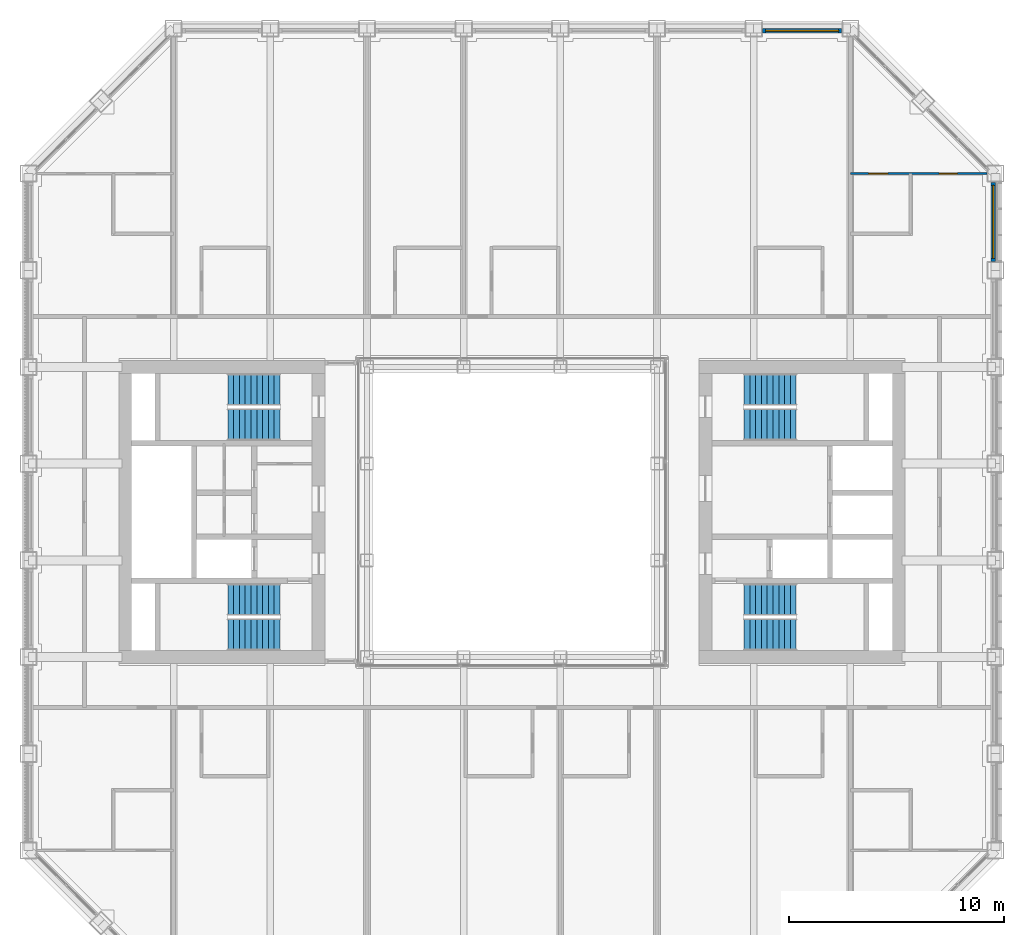
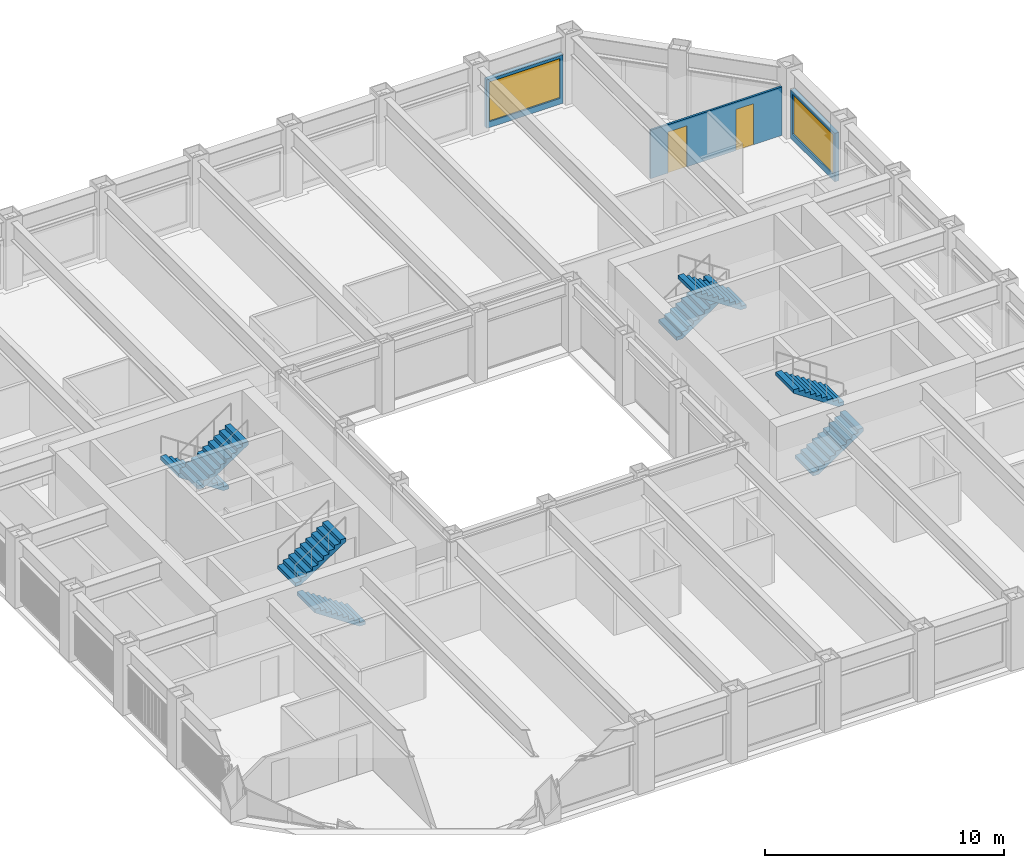
# One storey, part 14 of 17: 8 stair flights, 3 walls, 2 doors, 2 windows, 4 openings, 4 elements without a shape of their own.
"""IFC4 building model written with IfcOpenShell, lengths in metres."""

import ifcopenshell
import ifcopenshell.guid

model = None  # the IFC model being written
_history = None  # IfcOwnerHistory: only IFC2X3 demands one
_inside = {}  # id of a spatial element -> (the spatial element, [elements in it])
_under = {}  # id of a project, library or spatial element -> (it, [spatial elements below it])
_declared = {}  # id of a project -> (the project, [libraries it declares])
_typed = {}  # id of a type object -> (the type object, [elements of that type])
_made_of = {}  # id of a material, layer set ... -> (it, [elements and type objects made of it])


def new_model(schema):
    """Start an empty IFC model of exactly this schema.

    Asked for "IFC4X3", IfcOpenShell would pick the latest addendum, in which some entities
    have other attributes; the version numbers below select the first issue.
    IFC2X3 requires an IfcOwnerHistory on every rooted entity: one is made here for all.
    """
    global model, _history
    if schema == "IFC4X3":
        model = ifcopenshell.file(schema_version=(4, 3, 0, 0))
    else:
        model = ifcopenshell.file(schema=schema)
    _inside.clear()
    _under.clear()
    _declared.clear()
    _typed.clear()
    _made_of.clear()
    _history = None
    if model.schema == "IFC2X3":
        org = make("IfcOrganization", Name="unknown")
        user = make(
            "IfcPersonAndOrganization",
            ThePerson=make("IfcPerson", FamilyName="unknown"),
            TheOrganization=org,
        )
        app = make(
            "IfcApplication",
            ApplicationDeveloper=org,
            Version="unknown",
            ApplicationFullName="unknown",
            ApplicationIdentifier="unknown",
        )
        _history = make(
            "IfcOwnerHistory",
            OwningUser=user,
            OwningApplication=app,
            ChangeAction="ADDED",
            CreationDate=0,
        )
    return model


def make(cls, **values):
    """One entity of the class cls with the attributes given. An attribute that is None is left unset."""
    return model.create_entity(
        cls, **{name: value for name, value in values.items() if value is not None}
    )


def rooted(cls, **values):
    """An entity with a GlobalId (a new one), such as an element, a storey or a relation."""
    return make(cls, GlobalId=ifcopenshell.guid.new(), OwnerHistory=_history, **values)


def si_unit(unit_type, name, prefix=None):
    """IfcSIUnit, for example si_unit("LENGTHUNIT", "METRE", prefix="MILLI")."""
    return make("IfcSIUnit", UnitType=unit_type, Prefix=prefix, Name=name)


def assignment(units):
    """IfcUnitAssignment: the units of a project."""
    return None if units is None else make("IfcUnitAssignment", Units=units)


def point(xyz):
    """IfcCartesianPoint."""
    return None if xyz is None else make("IfcCartesianPoint", Coordinates=xyz)


def direction(xyz):
    """IfcDirection."""
    return None if xyz is None else make("IfcDirection", DirectionRatios=xyz)


def frame(location, z_axis=None, x_axis=None):
    """IfcAxis2Placement3D, a coordinate frame: its origin and axes. An axis left out is left unset."""
    return make(
        "IfcAxis2Placement3D",
        Location=point(location),
        Axis=direction(z_axis),
        RefDirection=direction(x_axis),
    )


def frame_2d(location, x_axis=None):
    """IfcAxis2Placement2D, a coordinate frame in the plane: its origin and x axis."""
    return make(
        "IfcAxis2Placement2D", Location=point(location), RefDirection=direction(x_axis)
    )


def origin():
    """The frame at (0, 0, 0) with its axes left unset."""
    return frame((0.0, 0.0, 0.0))


def place(relative_to, where):
    """IfcLocalPlacement: puts the frame where relative to a parent placement (None: the world)."""
    return make(
        "IfcLocalPlacement", PlacementRelTo=relative_to, RelativePlacement=where
    )


def context(
    kind, dimensions, precision=None, world=None, true_north=None, identifier=None
):
    """IfcGeometricRepresentationContext, for example the 3D "Model" context."""
    return make(
        "IfcGeometricRepresentationContext",
        ContextIdentifier=identifier,
        ContextType=kind,
        CoordinateSpaceDimension=dimensions,
        Precision=precision,
        WorldCoordinateSystem=world,
        TrueNorth=true_north,
    )


def subcontext(parent, identifier, kind, view, scale=None):
    """IfcGeometricRepresentationSubContext, for example "Body" below "Model"."""
    return make(
        "IfcGeometricRepresentationSubContext",
        ContextIdentifier=identifier,
        ContextType=kind,
        ParentContext=parent,
        TargetScale=scale,
        TargetView=view,
    )


def project(units=None, contexts=None):
    """IfcProject with its units and contexts."""
    return rooted(
        "IfcProject",
        Name="project",
        RepresentationContexts=contexts,
        UnitsInContext=assignment(units),
    )


def spatial(cls, under=None, at=None, **own):
    """A site, building, storey or space (cls), placed at a placement, below another one or the project."""
    s = rooted(cls, ObjectPlacement=at, **own)
    if under is not None:
        _under.setdefault(under.id(), (under, []))[1].append(s)
    return s


def polyline(points):
    """IfcPolyline through the points."""
    return make("IfcPolyline", Points=[point(p) for p in points])


def profile(cls, at=None, kind="AREA", **sizes):
    """A parametric profile (cls). Its sizes go by their IFC names, for example OverallWidth=200.0."""
    return make(cls, ProfileType=kind, Position=at, **sizes)


def rectangle(**sizes):
    """IfcRectangleProfileDef."""
    return profile("IfcRectangleProfileDef", **sizes)


def outline(outer, holes=None, kind="AREA"):
    """IfcArbitraryClosedProfileDef: a profile drawn as a closed curve; with holes, ...WithVoids."""
    if holes is None:
        return make("IfcArbitraryClosedProfileDef", ProfileType=kind, OuterCurve=outer)
    return make(
        "IfcArbitraryProfileDefWithVoids",
        ProfileType=kind,
        OuterCurve=outer,
        InnerCurves=holes,
    )


def extrude(swept, where, along, depth):
    """IfcExtrudedAreaSolid: the profile swept, set in the frame where, extruded along a direction by depth."""
    return make(
        "IfcExtrudedAreaSolid",
        SweptArea=swept,
        Position=where,
        ExtrudedDirection=direction(along),
        Depth=depth,
    )


def shape(context_of_items, identifier, shape_type, items):
    """IfcShapeRepresentation: the items that make up one representation, for example the "Body"."""
    return make(
        "IfcShapeRepresentation",
        ContextOfItems=context_of_items,
        RepresentationIdentifier=identifier,
        RepresentationType=shape_type,
        Items=items,
    )


def material(Name=None, Category=None):
    """IfcMaterial."""
    return make("IfcMaterial", Name=Name, Category=Category)


def layer(
    of_material, thickness, ventilated=None, Name=None, Category=None, Priority=None
):
    """IfcMaterialLayer: one layer of a wall or slab, of a material (None: an air gap)."""
    return make(
        "IfcMaterialLayer",
        Material=of_material,
        LayerThickness=thickness,
        IsVentilated=ventilated,
        Name=Name,
        Category=Category,
        Priority=Priority,
    )


def layer_set(layers, Name=None):
    """IfcMaterialLayerSet."""
    return make("IfcMaterialLayerSet", MaterialLayers=layers, LayerSetName=Name)


def made_of(thing, what):
    """Note that an element or type object is made of a material, layer set ...; save() writes the relation."""
    if what is not None:
        _made_of.setdefault(what.id(), (what, []))[1].append(thing)
    return thing


def type_object(cls, material=None, **own):
    """A type object (cls), such as IfcWallType, which elements share."""
    return made_of(rooted(cls, **own), material)


def element(
    cls,
    number,
    at=None,
    inside=None,
    cuts=None,
    type_object=None,
    material=None,
    context=None,
    identifier="Body",
    shape_type=None,
    held_by="IfcProductDefinitionShape",
    body=None,
    shapes=None,
    **own,
):
    """One element of the class cls, such as IfcWall. Its Tag is "e" and its number.

    at: its placement. inside: the storey or other place that contains it. cuts: it is an
    opening in that element (IfcRelVoidsElement). A single representation is given by context,
    identifier, shape_type and body (its items); several are given by shapes. held_by: the class
    of the entity that holds the representations. save() writes the other relations.
    """
    e = rooted(cls, Tag="e%d" % number, ObjectPlacement=at, **own)
    if body is not None:
        shapes = [shape(context, identifier, shape_type, body)]
    if shapes is not None:
        e.Representation = make(held_by, Representations=shapes)
    if inside is not None:
        _inside.setdefault(inside.id(), (inside, []))[1].append(e)
    if cuts is not None:
        rooted(
            "IfcRelVoidsElement", RelatingBuildingElement=cuts, RelatedOpeningElement=e
        )
    if type_object is not None:
        _typed.setdefault(type_object.id(), (type_object, []))[1].append(e)
    return made_of(e, material)


def fill(opening, filler):
    """IfcRelFillsElement: the door or window that sits in an opening."""
    return rooted(
        "IfcRelFillsElement",
        RelatingOpeningElement=opening,
        RelatedBuildingElement=filler,
    )


def aggregate(whole, parts):
    """IfcRelAggregates: a whole, such as a stair, and the parts it consists of."""
    return rooted("IfcRelAggregates", RelatingObject=whole, RelatedObjects=parts)


def save(model, path):
    """Write the relations noted so far, then the file.

    IfcRelAggregates (storeys below a building ...), IfcRelContainedInSpatialStructure (elements
    in a storey), IfcRelDefinesByType, IfcRelAssociatesMaterial and IfcRelDeclares: one each for
    every whole, place, type object, material and project.
    """
    for whole, parts in _under.values():
        aggregate(whole, parts)
    for where, things in _inside.values():
        rooted(
            "IfcRelContainedInSpatialStructure",
            RelatedElements=things,
            RelatingStructure=where,
        )
    for kind, things in _typed.values():
        rooted("IfcRelDefinesByType", RelatedObjects=things, RelatingType=kind)
    for what, things in _made_of.values():
        rooted("IfcRelAssociatesMaterial", RelatedObjects=things, RelatingMaterial=what)
    for by, libraries in _declared.values():
        rooted("IfcRelDeclares", RelatingContext=by, RelatedDefinitions=libraries)
    model.write(path)


model = new_model("IFC4")

# Units and contexts
model_context = context("Model", 3, precision=1e-05, world=origin(), true_north=direction((0.0, 1.0)))
body_context = subcontext(model_context, "Body", "Model", "MODEL_VIEW")
ifc_project = project(units=[si_unit("LENGTHUNIT", "METRE"), si_unit("AREAUNIT", "SQUARE_METRE"), si_unit("VOLUMEUNIT", "CUBIC_METRE"), si_unit("PLANEANGLEUNIT", "RADIAN"), si_unit("MASSUNIT", "GRAM", prefix="KILO")], contexts=[model_context])

# Site, building, storey
site_placement = place(None, origin())
site = spatial("IfcSite", under=ifc_project, at=site_placement, CompositionType="ELEMENT")
building_placement = place(site_placement, origin())
building = spatial("IfcBuilding", under=site, at=building_placement, Name="Msasa Ring Tower", CompositionType="ELEMENT")
storey_placement = place(building_placement, frame((0.0, 0.0, 165.199951171875)))
storey = spatial("IfcBuildingStorey", under=building, at=storey_placement, Name="L43", CompositionType="ELEMENT", Elevation=165.199951171875)

# Wall, opening, window
ifc_material_1 = material(Name="Terracotta rainscreen on blockwork", Category="masonry")
ifc_layer_1 = layer(ifc_material_1, 0.199951171875)
ifc_layer_set_1 = layer_set([ifc_layer_1], Name="FW1 TERRACOTTA-LINED INFILL BAY WALL 200")
wall_type_1 = type_object("IfcWallType", Name="FW1 TERRACOTTA-LINED INFILL BAY WALL 200", PredefinedType="SOLIDWALL", material=ifc_layer_set_1)
wall_1_placement = place(storey_placement, frame((22.39990234375, 11.655029296875, 0.0), z_axis=(0.0, 0.0, 1.0), x_axis=(0.0, 1.0, 0.0)))
wall_1 = element("IfcWall", 1, at=wall_1_placement, inside=storey, type_object=wall_type_1, Name="Infill bay wall E L43 15", PredefinedType="SOLIDWALL", context=body_context, shape_type="SweptSolid", body=[
    extrude(rectangle(XDim=3.68994140625, YDim=0.199951171875, at=frame_2d((1.844970703125, 0.0))), origin(), (0.0, 0.0, 1.0), 2.47900390625),
])
opening_1_placement = place(wall_1_placement, frame((0.14501953125, 0.0, 0.300048828125)))
opening_1 = element("IfcOpeningElement", 2, at=opening_1_placement, cuts=wall_1, Name="Opening WN2", PredefinedType="OPENING", context=body_context, shape_type="SweptSolid", body=[
    extrude(rectangle(XDim=3.39990234375, YDim=2.029052734375, at=frame_2d((1.699951171875, 1.0146484375))), frame((0.0, 0.10986328125, 0.0), z_axis=(0.0, -1.0, 0.0), x_axis=(1.0, 0.0, 0.0)), (0.0, 0.0, 1.0), 0.219970703125),
])
ifc_material_2 = material(Name="Aluminium frame with clear glass", Category="aluminium")
window_type = type_object("IfcWindowType", Name="WN2 GUEST ROOM WINDOW 3400x2029", PartitioningType="SINGLE_PANEL", PredefinedType="WINDOW", material=ifc_material_2)
window_1_placement = place(opening_1_placement, origin())
window_1 = element("IfcWindow", 3, at=window_1_placement, inside=storey, type_object=window_type, Name="Window E L43 15", OverallHeight=2.029052734375, OverallWidth=3.39990234375, PartitioningType="SINGLE_PANEL", PredefinedType="WINDOW", context=body_context, shape_type="SweptSolid", body=[
    extrude(rectangle(XDim=3.39990234375, YDim=2.029052734375, at=frame_2d((1.699951171875, 1.0146484375))), frame((0.0, 0.030029296875, 0.0), z_axis=(0.0, -1.0, 0.0), x_axis=(1.0, 0.0, 0.0)), (0.0, 0.0, 1.0), 0.06005859375),
])
fill(opening_1, window_1)

wall_2_placement = place(storey_placement, frame((11.655029296875, 22.39990234375, 0.0), z_axis=(0.0, 0.0, 1.0), x_axis=(1.0, 0.0, 0.0)))
wall_2 = element("IfcWall", 4, at=wall_2_placement, inside=storey, type_object=wall_type_1, Name="Infill bay wall N L43 24", PredefinedType="SOLIDWALL", context=body_context, shape_type="SweptSolid", body=[
    extrude(rectangle(XDim=3.68994140625, YDim=0.199951171875, at=frame_2d((1.844970703125, 0.0))), origin(), (0.0, 0.0, 1.0), 2.47900390625),
])
opening_2_placement = place(wall_2_placement, frame((0.14501953125, 0.0, 0.300048828125)))
opening_2 = element("IfcOpeningElement", 5, at=opening_2_placement, cuts=wall_2, Name="Opening WN2", PredefinedType="OPENING", context=body_context, shape_type="SweptSolid", body=[
    extrude(rectangle(XDim=3.39990234375, YDim=2.029052734375, at=frame_2d((1.699951171875, 1.0146484375))), frame((0.0, 0.10986328125, 0.0), z_axis=(0.0, -1.0, 0.0), x_axis=(1.0, 0.0, 0.0)), (0.0, 0.0, 1.0), 0.219970703125),
])
window_2_placement = place(opening_2_placement, origin())
window_2 = element("IfcWindow", 6, at=window_2_placement, inside=storey, type_object=window_type, Name="Window N L43 24", OverallHeight=2.029052734375, OverallWidth=3.39990234375, PartitioningType="SINGLE_PANEL", PredefinedType="WINDOW", context=body_context, shape_type="SweptSolid", body=[
    extrude(rectangle(XDim=3.39990234375, YDim=2.029052734375, at=frame_2d((1.699951171875, 1.0146484375))), frame((0.0, 0.030029296875, 0.0), z_axis=(0.0, -1.0, 0.0), x_axis=(1.0, 0.0, 0.0)), (0.0, 0.0, 1.0), 0.06005859375),
])
fill(opening_2, window_2)

# Wall, openings, doors
ifc_material_3 = material(Name="Gypsum board on steel studs", Category="steel")
ifc_layer_2 = layer(ifc_material_3, 0.10009765625)
ifc_layer_set_2 = layer_set([ifc_layer_2], Name="PT2 STUD PARTITION 100")
wall_type_2 = type_object("IfcWallType", Name="PT2 STUD PARTITION 100", PredefinedType="PARTITIONING", material=ifc_layer_set_2)
wall_3_placement = place(storey_placement, frame((15.75, 15.75, 0.0), z_axis=(0.0, 0.0, 1.0), x_axis=(1.0, 0.0, 0.0)))
wall_3 = element("IfcWall", 7, at=wall_3_placement, inside=storey, type_object=wall_type_2, Name="Partition L43-CSNEX", PredefinedType="PARTITIONING", context=body_context, shape_type="SweptSolid", body=[
    extrude(rectangle(XDim=6.35009765625, YDim=0.10009765625, at=frame_2d((3.175048828125, 0.0))), origin(), (0.0, 0.0, 1.0), 2.473388671875),
])
opening_3_placement = place(wall_3_placement, frame((4.125, 0.0, 0.0)))
opening_3 = element("IfcOpeningElement", 8, at=opening_3_placement, cuts=wall_3, Name="Opening HE-004", PredefinedType="OPENING", context=body_context, shape_type="SweptSolid", body=[
    extrude(rectangle(XDim=0.85009765625, YDim=2.10009765625, at=frame_2d((0.425048828125, 1.050048828125))), frame((0.0, 0.06005859375, 0.0), z_axis=(0.0, -1.0, 0.0), x_axis=(1.0, 0.0, 0.0)), (0.0, 0.0, 1.0), 0.1201171875),
])
opening_4_placement = place(wall_3_placement, frame((0.85009765625, 0.0, 0.0)))
opening_4 = element("IfcOpeningElement", 9, at=opening_4_placement, cuts=wall_3, Name="Opening HE-003", PredefinedType="OPENING", context=body_context, shape_type="SweptSolid", body=[
    extrude(rectangle(XDim=0.89990234375, YDim=2.10009765625, at=frame_2d((0.449951171875, 1.050048828125))), frame((0.0, 0.06005859375, 0.0), z_axis=(0.0, -1.0, 0.0), x_axis=(1.0, 0.0, 0.0)), (0.0, 0.0, 1.0), 0.1201171875),
])
ifc_material_4 = material(Name="Timber door leaf in a steel frame", Category="steel")
door_type_1 = type_object("IfcDoorType", Name="D14 BEDROOM DOOR 850x2100", OperationType="SINGLE_SWING_LEFT", PredefinedType="DOOR", material=ifc_material_4)
door_1_placement = place(opening_3_placement, origin())
door_1 = element("IfcDoor", 10, at=door_1_placement, inside=storey, type_object=door_type_1, Name="Door L43-CSNER1", OperationType="SINGLE_SWING_RIGHT", OverallHeight=2.10009765625, OverallWidth=0.85009765625, PredefinedType="DOOR", context=body_context, shape_type="SweptSolid", body=[
    extrude(rectangle(XDim=0.85009765625, YDim=2.10009765625, at=frame_2d((0.425048828125, 1.050048828125))), frame((0.0, 0.02490234375, 0.0), z_axis=(0.0, -1.0, 0.0), x_axis=(1.0, 0.0, 0.0)), (0.0, 0.0, 1.0), 0.050048828125),
])
fill(opening_3, door_1)
ifc_material_5 = material(Name="Timber door leaf in a steel frame", Category="steel")
door_type_2 = type_object("IfcDoorType", Name="D3 BATHROOM DOOR 900x2100", OperationType="SINGLE_SWING_LEFT", PredefinedType="DOOR", material=ifc_material_5)
door_2_placement = place(opening_4_placement, origin())
door_2 = element("IfcDoor", 11, at=door_2_placement, inside=storey, type_object=door_type_2, Name="Door L43-CSNEB1", OperationType="SINGLE_SWING_LEFT", OverallHeight=2.10009765625, OverallWidth=0.89990234375, PredefinedType="DOOR", context=body_context, shape_type="SweptSolid", body=[
    extrude(rectangle(XDim=0.89990234375, YDim=2.10009765625, at=frame_2d((0.449951171875, 1.050048828125))), frame((0.0, 0.02490234375, 0.0), z_axis=(0.0, -1.0, 0.0), x_axis=(1.0, 0.0, 0.0)), (0.0, 0.0, 1.0), 0.050048828125),
])
fill(opening_4, door_2)

# Stair, stair flights
ifc_material_6 = material(Name="Concrete C40/50", Category="concrete")
stair_type = type_object("IfcStairType", Name="STC CORE STAIR 20 RISERS 180", PredefinedType="HALF_TURN_STAIR", material=ifc_material_6)
stair_1_placement = place(storey_placement, origin())
stair_1 = element("IfcStair", 12, at=stair_1_placement, inside=storey, type_object=stair_type, Name="Core stair SEA L43", PredefinedType="HALF_TURN_STAIR")
ifc_material_7 = material(Name="Concrete C40/50", Category="concrete")
stair_flight_type = type_object("IfcStairFlightType", Name="ST14 CORE STAIR FLIGHT 1500 10 RISERS 180", PredefinedType="STRAIGHT", material=ifc_material_7)
stair_flight_1_placement = place(storey_placement, frame((10.800048828125, -5.699951171875, 0.0), z_axis=(0.0, 0.0, 1.0), x_axis=(1.0, 0.0, 0.0)))
stair_flight_1 = element("IfcStairFlight", 13, at=stair_flight_1_placement, type_object=stair_flight_type, Name="SEA flight 1", NumberOfRisers=10, NumberOfTreads=9, PredefinedType="STRAIGHT", RiserHeight=0.18, TreadLength=0.27, context=body_context, shape_type="SweptSolid", body=[
    extrude(outline(polyline([(0.0, 0.0), (0.0, 0.179931640625), (0.27001953125, 0.179931640625), (0.27001953125, 0.360107421875), (0.5400390625, 0.360107421875), (0.5400390625, 0.5400390625), (0.81005859375, 0.5400390625), (0.81005859375, 0.719970703125), (1.080078125, 0.719970703125), (1.080078125, 0.89990234375), (1.35009765625, 0.89990234375), (1.35009765625, 1.080078125), (1.6201171875, 1.080078125), (1.6201171875, 1.260009765625), (1.889892578125, 1.260009765625), (1.889892578125, 1.43994140625), (2.159912109375, 1.43994140625), (2.159912109375, 1.6201171875), (2.429931640625, 1.6201171875), (2.429931640625, 1.800048828125), (2.429931640625, 1.43994140625), (0.270263671875, 0.0), (0.0, 0.0)])), frame((0.0, 0.75, 0.0), z_axis=(0.0, -1.0, 0.0), x_axis=(1.0, 0.0, 0.0)), (0.0, 0.0, 1.0), 1.5),
])
stair_flight_2_placement = place(storey_placement, frame((13.22998046875, -4.074951171875, 1.800048828125), z_axis=(0.0, 0.0, 1.0), x_axis=(-1.0, 0.0, 0.0)))
stair_flight_2 = element("IfcStairFlight", 14, at=stair_flight_2_placement, type_object=stair_flight_type, Name="SEA flight 2", NumberOfRisers=10, NumberOfTreads=9, PredefinedType="STRAIGHT", RiserHeight=0.18, TreadLength=0.27, context=body_context, shape_type="SweptSolid", body=[
    extrude(outline(polyline([(0.0, 0.0), (0.0, 0.179931640625), (0.27001953125, 0.179931640625), (0.27001953125, 0.360107421875), (0.5400390625, 0.360107421875), (0.5400390625, 0.5400390625), (0.81005859375, 0.5400390625), (0.81005859375, 0.719970703125), (1.080078125, 0.719970703125), (1.080078125, 0.89990234375), (1.35009765625, 0.89990234375), (1.35009765625, 1.080078125), (1.6201171875, 1.080078125), (1.6201171875, 1.260009765625), (1.889892578125, 1.260009765625), (1.889892578125, 1.43994140625), (2.159912109375, 1.43994140625), (2.159912109375, 1.6201171875), (2.429931640625, 1.6201171875), (2.429931640625, 1.800048828125), (2.429931640625, 1.43994140625), (0.270263671875, 0.0), (0.0, 0.0)])), frame((0.0, 0.75, 0.0), z_axis=(0.0, -1.0, 0.0), x_axis=(1.0, 0.0, 0.0)), (0.0, 0.0, 1.0), 1.5),
])
aggregate(stair_1, [stair_flight_1, stair_flight_2])

stair_2_placement = place(storey_placement, origin())
stair_2 = element("IfcStair", 15, at=stair_2_placement, inside=storey, type_object=stair_type, Name="Core stair SEB L43", PredefinedType="HALF_TURN_STAIR")
stair_flight_3_placement = place(storey_placement, frame((10.800048828125, 5.699951171875, 0.0), z_axis=(0.0, 0.0, 1.0), x_axis=(1.0, 0.0, 0.0)))
stair_flight_3 = element("IfcStairFlight", 16, at=stair_flight_3_placement, type_object=stair_flight_type, Name="SEB flight 1", NumberOfRisers=10, NumberOfTreads=9, PredefinedType="STRAIGHT", RiserHeight=0.18, TreadLength=0.27, context=body_context, shape_type="SweptSolid", body=[
    extrude(outline(polyline([(0.0, 0.0), (0.0, 0.179931640625), (0.27001953125, 0.179931640625), (0.27001953125, 0.360107421875), (0.5400390625, 0.360107421875), (0.5400390625, 0.5400390625), (0.81005859375, 0.5400390625), (0.81005859375, 0.719970703125), (1.080078125, 0.719970703125), (1.080078125, 0.89990234375), (1.35009765625, 0.89990234375), (1.35009765625, 1.080078125), (1.6201171875, 1.080078125), (1.6201171875, 1.260009765625), (1.889892578125, 1.260009765625), (1.889892578125, 1.43994140625), (2.159912109375, 1.43994140625), (2.159912109375, 1.6201171875), (2.429931640625, 1.6201171875), (2.429931640625, 1.800048828125), (2.429931640625, 1.43994140625), (0.270263671875, 0.0), (0.0, 0.0)])), frame((0.0, 0.75, 0.0), z_axis=(0.0, -1.0, 0.0), x_axis=(1.0, 0.0, 0.0)), (0.0, 0.0, 1.0), 1.5),
])
stair_flight_4_placement = place(storey_placement, frame((13.22998046875, 4.074951171875, 1.800048828125), z_axis=(0.0, 0.0, 1.0), x_axis=(-1.0, 0.0, 0.0)))
stair_flight_4 = element("IfcStairFlight", 17, at=stair_flight_4_placement, type_object=stair_flight_type, Name="SEB flight 2", NumberOfRisers=10, NumberOfTreads=9, PredefinedType="STRAIGHT", RiserHeight=0.18, TreadLength=0.27, context=body_context, shape_type="SweptSolid", body=[
    extrude(outline(polyline([(0.0, 0.0), (0.0, 0.179931640625), (0.27001953125, 0.179931640625), (0.27001953125, 0.360107421875), (0.5400390625, 0.360107421875), (0.5400390625, 0.5400390625), (0.81005859375, 0.5400390625), (0.81005859375, 0.719970703125), (1.080078125, 0.719970703125), (1.080078125, 0.89990234375), (1.35009765625, 0.89990234375), (1.35009765625, 1.080078125), (1.6201171875, 1.080078125), (1.6201171875, 1.260009765625), (1.889892578125, 1.260009765625), (1.889892578125, 1.43994140625), (2.159912109375, 1.43994140625), (2.159912109375, 1.6201171875), (2.429931640625, 1.6201171875), (2.429931640625, 1.800048828125), (2.429931640625, 1.43994140625), (0.270263671875, 0.0), (0.0, 0.0)])), frame((0.0, 0.75, 0.0), z_axis=(0.0, -1.0, 0.0), x_axis=(1.0, 0.0, 0.0)), (0.0, 0.0, 1.0), 1.5),
])
aggregate(stair_2, [stair_flight_3, stair_flight_4])

stair_3_placement = place(storey_placement, origin())
stair_3 = element("IfcStair", 18, at=stair_3_placement, inside=storey, type_object=stair_type, Name="Core stair SWA L43", PredefinedType="HALF_TURN_STAIR")
stair_flight_5_placement = place(storey_placement, frame((-10.800048828125, -5.699951171875, 0.0), z_axis=(0.0, 0.0, 1.0), x_axis=(-1.0, 0.0, 0.0)))
stair_flight_5 = element("IfcStairFlight", 19, at=stair_flight_5_placement, type_object=stair_flight_type, Name="SWA flight 1", NumberOfRisers=10, NumberOfTreads=9, PredefinedType="STRAIGHT", RiserHeight=0.18, TreadLength=0.27, context=body_context, shape_type="SweptSolid", body=[
    extrude(outline(polyline([(0.0, 0.0), (0.0, 0.179931640625), (0.27001953125, 0.179931640625), (0.27001953125, 0.360107421875), (0.5400390625, 0.360107421875), (0.5400390625, 0.5400390625), (0.81005859375, 0.5400390625), (0.81005859375, 0.719970703125), (1.080078125, 0.719970703125), (1.080078125, 0.89990234375), (1.35009765625, 0.89990234375), (1.35009765625, 1.080078125), (1.6201171875, 1.080078125), (1.6201171875, 1.260009765625), (1.889892578125, 1.260009765625), (1.889892578125, 1.43994140625), (2.159912109375, 1.43994140625), (2.159912109375, 1.6201171875), (2.429931640625, 1.6201171875), (2.429931640625, 1.800048828125), (2.429931640625, 1.43994140625), (0.270263671875, 0.0), (0.0, 0.0)])), frame((0.0, 0.75, 0.0), z_axis=(0.0, -1.0, 0.0), x_axis=(1.0, 0.0, 0.0)), (0.0, 0.0, 1.0), 1.5),
])
stair_flight_6_placement = place(storey_placement, frame((-13.22998046875, -4.074951171875, 1.800048828125), z_axis=(0.0, 0.0, 1.0), x_axis=(1.0, 0.0, 0.0)))
stair_flight_6 = element("IfcStairFlight", 20, at=stair_flight_6_placement, type_object=stair_flight_type, Name="SWA flight 2", NumberOfRisers=10, NumberOfTreads=9, PredefinedType="STRAIGHT", RiserHeight=0.18, TreadLength=0.27, context=body_context, shape_type="SweptSolid", body=[
    extrude(outline(polyline([(0.0, 0.0), (0.0, 0.179931640625), (0.27001953125, 0.179931640625), (0.27001953125, 0.360107421875), (0.5400390625, 0.360107421875), (0.5400390625, 0.5400390625), (0.81005859375, 0.5400390625), (0.81005859375, 0.719970703125), (1.080078125, 0.719970703125), (1.080078125, 0.89990234375), (1.35009765625, 0.89990234375), (1.35009765625, 1.080078125), (1.6201171875, 1.080078125), (1.6201171875, 1.260009765625), (1.889892578125, 1.260009765625), (1.889892578125, 1.43994140625), (2.159912109375, 1.43994140625), (2.159912109375, 1.6201171875), (2.429931640625, 1.6201171875), (2.429931640625, 1.800048828125), (2.429931640625, 1.43994140625), (0.270263671875, 0.0), (0.0, 0.0)])), frame((0.0, 0.75, 0.0), z_axis=(0.0, -1.0, 0.0), x_axis=(1.0, 0.0, 0.0)), (0.0, 0.0, 1.0), 1.5),
])
aggregate(stair_3, [stair_flight_5, stair_flight_6])

stair_4_placement = place(storey_placement, origin())
stair_4 = element("IfcStair", 21, at=stair_4_placement, inside=storey, type_object=stair_type, Name="Core stair SWB L43", PredefinedType="HALF_TURN_STAIR")
stair_flight_7_placement = place(storey_placement, frame((-10.800048828125, 5.699951171875, 0.0), z_axis=(0.0, 0.0, 1.0), x_axis=(-1.0, 0.0, 0.0)))
stair_flight_7 = element("IfcStairFlight", 22, at=stair_flight_7_placement, type_object=stair_flight_type, Name="SWB flight 1", NumberOfRisers=10, NumberOfTreads=9, PredefinedType="STRAIGHT", RiserHeight=0.18, TreadLength=0.27, context=body_context, shape_type="SweptSolid", body=[
    extrude(outline(polyline([(0.0, 0.0), (0.0, 0.179931640625), (0.27001953125, 0.179931640625), (0.27001953125, 0.360107421875), (0.5400390625, 0.360107421875), (0.5400390625, 0.5400390625), (0.81005859375, 0.5400390625), (0.81005859375, 0.719970703125), (1.080078125, 0.719970703125), (1.080078125, 0.89990234375), (1.35009765625, 0.89990234375), (1.35009765625, 1.080078125), (1.6201171875, 1.080078125), (1.6201171875, 1.260009765625), (1.889892578125, 1.260009765625), (1.889892578125, 1.43994140625), (2.159912109375, 1.43994140625), (2.159912109375, 1.6201171875), (2.429931640625, 1.6201171875), (2.429931640625, 1.800048828125), (2.429931640625, 1.43994140625), (0.270263671875, 0.0), (0.0, 0.0)])), frame((0.0, 0.75, 0.0), z_axis=(0.0, -1.0, 0.0), x_axis=(1.0, 0.0, 0.0)), (0.0, 0.0, 1.0), 1.5),
])
stair_flight_8_placement = place(storey_placement, frame((-13.22998046875, 4.074951171875, 1.800048828125), z_axis=(0.0, 0.0, 1.0), x_axis=(1.0, 0.0, 0.0)))
stair_flight_8 = element("IfcStairFlight", 23, at=stair_flight_8_placement, type_object=stair_flight_type, Name="SWB flight 2", NumberOfRisers=10, NumberOfTreads=9, PredefinedType="STRAIGHT", RiserHeight=0.18, TreadLength=0.27, context=body_context, shape_type="SweptSolid", body=[
    extrude(outline(polyline([(0.0, 0.0), (0.0, 0.179931640625), (0.27001953125, 0.179931640625), (0.27001953125, 0.360107421875), (0.5400390625, 0.360107421875), (0.5400390625, 0.5400390625), (0.81005859375, 0.5400390625), (0.81005859375, 0.719970703125), (1.080078125, 0.719970703125), (1.080078125, 0.89990234375), (1.35009765625, 0.89990234375), (1.35009765625, 1.080078125), (1.6201171875, 1.080078125), (1.6201171875, 1.260009765625), (1.889892578125, 1.260009765625), (1.889892578125, 1.43994140625), (2.159912109375, 1.43994140625), (2.159912109375, 1.6201171875), (2.429931640625, 1.6201171875), (2.429931640625, 1.800048828125), (2.429931640625, 1.43994140625), (0.270263671875, 0.0), (0.0, 0.0)])), frame((0.0, 0.75, 0.0), z_axis=(0.0, -1.0, 0.0), x_axis=(1.0, 0.0, 0.0)), (0.0, 0.0, 1.0), 1.5),
])
aggregate(stair_4, [stair_flight_7, stair_flight_8])

save(model, "model.ifc")
